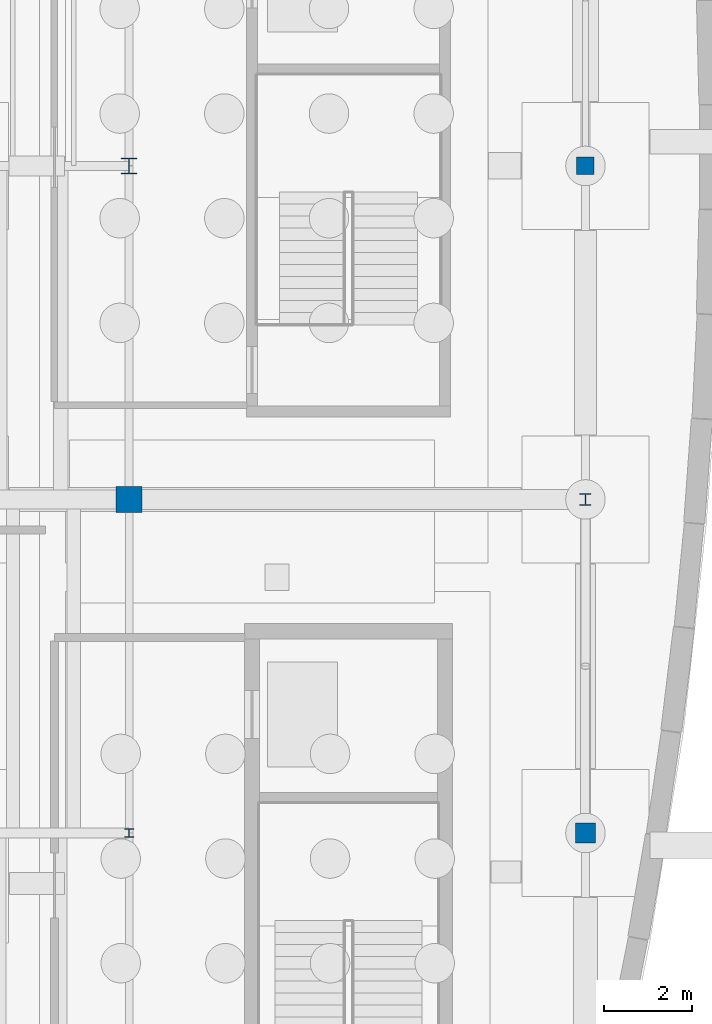
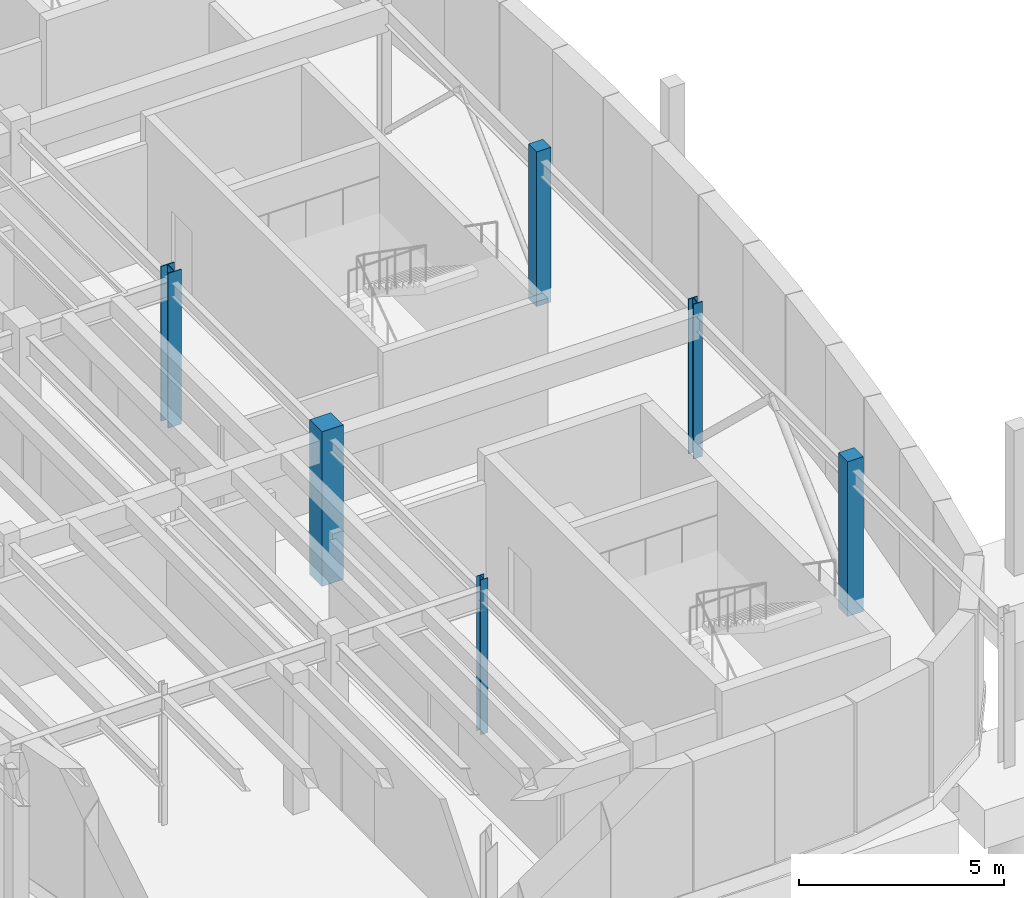
# One storey, part 21 of 45: 6 columns.
"""IFC4 building model written with IfcOpenShell, lengths in metres."""

import ifcopenshell
import ifcopenshell.guid

model = None  # the IFC model being written
_history = None  # IfcOwnerHistory: only IFC2X3 demands one
_inside = {}  # id of a spatial element -> (the spatial element, [elements in it])
_under = {}  # id of a project, library or spatial element -> (it, [spatial elements below it])
_declared = {}  # id of a project -> (the project, [libraries it declares])
_typed = {}  # id of a type object -> (the type object, [elements of that type])
_made_of = {}  # id of a material, layer set ... -> (it, [elements and type objects made of it])


def new_model(schema):
    """Start an empty IFC model of exactly this schema.

    Asked for "IFC4X3", IfcOpenShell would pick the latest addendum, in which some entities
    have other attributes; the version numbers below select the first issue.
    IFC2X3 requires an IfcOwnerHistory on every rooted entity: one is made here for all.
    """
    global model, _history
    if schema == "IFC4X3":
        model = ifcopenshell.file(schema_version=(4, 3, 0, 0))
    else:
        model = ifcopenshell.file(schema=schema)
    _inside.clear()
    _under.clear()
    _declared.clear()
    _typed.clear()
    _made_of.clear()
    _history = None
    if model.schema == "IFC2X3":
        org = make("IfcOrganization", Name="unknown")
        user = make(
            "IfcPersonAndOrganization",
            ThePerson=make("IfcPerson", FamilyName="unknown"),
            TheOrganization=org,
        )
        app = make(
            "IfcApplication",
            ApplicationDeveloper=org,
            Version="unknown",
            ApplicationFullName="unknown",
            ApplicationIdentifier="unknown",
        )
        _history = make(
            "IfcOwnerHistory",
            OwningUser=user,
            OwningApplication=app,
            ChangeAction="ADDED",
            CreationDate=0,
        )
    return model


def make(cls, **values):
    """One entity of the class cls with the attributes given. An attribute that is None is left unset."""
    return model.create_entity(
        cls, **{name: value for name, value in values.items() if value is not None}
    )


def rooted(cls, **values):
    """An entity with a GlobalId (a new one), such as an element, a storey or a relation."""
    return make(cls, GlobalId=ifcopenshell.guid.new(), OwnerHistory=_history, **values)


def si_unit(unit_type, name, prefix=None):
    """IfcSIUnit, for example si_unit("LENGTHUNIT", "METRE", prefix="MILLI")."""
    return make("IfcSIUnit", UnitType=unit_type, Prefix=prefix, Name=name)


def assignment(units):
    """IfcUnitAssignment: the units of a project."""
    return None if units is None else make("IfcUnitAssignment", Units=units)


def point(xyz):
    """IfcCartesianPoint."""
    return None if xyz is None else make("IfcCartesianPoint", Coordinates=xyz)


def direction(xyz):
    """IfcDirection."""
    return None if xyz is None else make("IfcDirection", DirectionRatios=xyz)


def frame(location, z_axis=None, x_axis=None):
    """IfcAxis2Placement3D, a coordinate frame: its origin and axes. An axis left out is left unset."""
    return make(
        "IfcAxis2Placement3D",
        Location=point(location),
        Axis=direction(z_axis),
        RefDirection=direction(x_axis),
    )


def frame_2d(location, x_axis=None):
    """IfcAxis2Placement2D, a coordinate frame in the plane: its origin and x axis."""
    return make(
        "IfcAxis2Placement2D", Location=point(location), RefDirection=direction(x_axis)
    )


def origin():
    """The frame at (0, 0, 0) with its axes left unset."""
    return frame((0.0, 0.0, 0.0))


def origin_2d():
    """The frame at (0, 0) in the plane with its x axis left unset."""
    return frame_2d((0.0, 0.0))


def place(relative_to, where):
    """IfcLocalPlacement: puts the frame where relative to a parent placement (None: the world)."""
    return make(
        "IfcLocalPlacement", PlacementRelTo=relative_to, RelativePlacement=where
    )


def context(
    kind, dimensions, precision=None, world=None, true_north=None, identifier=None
):
    """IfcGeometricRepresentationContext, for example the 3D "Model" context."""
    return make(
        "IfcGeometricRepresentationContext",
        ContextIdentifier=identifier,
        ContextType=kind,
        CoordinateSpaceDimension=dimensions,
        Precision=precision,
        WorldCoordinateSystem=world,
        TrueNorth=true_north,
    )


def subcontext(parent, identifier, kind, view, scale=None):
    """IfcGeometricRepresentationSubContext, for example "Body" below "Model"."""
    return make(
        "IfcGeometricRepresentationSubContext",
        ContextIdentifier=identifier,
        ContextType=kind,
        ParentContext=parent,
        TargetScale=scale,
        TargetView=view,
    )


def project(units=None, contexts=None):
    """IfcProject with its units and contexts."""
    return rooted(
        "IfcProject",
        Name="project",
        RepresentationContexts=contexts,
        UnitsInContext=assignment(units),
    )


def spatial(cls, under=None, at=None, **own):
    """A site, building, storey or space (cls), placed at a placement, below another one or the project."""
    s = rooted(cls, ObjectPlacement=at, **own)
    if under is not None:
        _under.setdefault(under.id(), (under, []))[1].append(s)
    return s


def profile(cls, at=None, kind="AREA", **sizes):
    """A parametric profile (cls). Its sizes go by their IFC names, for example OverallWidth=200.0."""
    return make(cls, ProfileType=kind, Position=at, **sizes)


def rectangle(**sizes):
    """IfcRectangleProfileDef."""
    return profile("IfcRectangleProfileDef", **sizes)


def i_section(**sizes):
    """IfcIShapeProfileDef."""
    return profile("IfcIShapeProfileDef", **sizes)


def extrude(swept, where, along, depth):
    """IfcExtrudedAreaSolid: the profile swept, set in the frame where, extruded along a direction by depth."""
    return make(
        "IfcExtrudedAreaSolid",
        SweptArea=swept,
        Position=where,
        ExtrudedDirection=direction(along),
        Depth=depth,
    )


def shape(context_of_items, identifier, shape_type, items):
    """IfcShapeRepresentation: the items that make up one representation, for example the "Body"."""
    return make(
        "IfcShapeRepresentation",
        ContextOfItems=context_of_items,
        RepresentationIdentifier=identifier,
        RepresentationType=shape_type,
        Items=items,
    )


def material(Name=None, Category=None):
    """IfcMaterial."""
    return make("IfcMaterial", Name=Name, Category=Category)


def material_profile(
    of_material, cross_section, Name=None, Category=None, Priority=None
):
    """IfcMaterialProfile: a cross section and its material."""
    return make(
        "IfcMaterialProfile",
        Name=Name,
        Material=of_material,
        Profile=cross_section,
        Priority=Priority,
        Category=Category,
    )


def profile_set(profiles, Name=None, composite=None):
    """IfcMaterialProfileSet."""
    return make(
        "IfcMaterialProfileSet",
        Name=Name,
        MaterialProfiles=profiles,
        CompositeProfile=composite,
    )


def made_of(thing, what):
    """Note that an element or type object is made of a material, layer set ...; save() writes the relation."""
    if what is not None:
        _made_of.setdefault(what.id(), (what, []))[1].append(thing)
    return thing


def type_object(cls, material=None, **own):
    """A type object (cls), such as IfcWallType, which elements share."""
    return made_of(rooted(cls, **own), material)


def element(
    cls,
    number,
    at=None,
    inside=None,
    cuts=None,
    type_object=None,
    material=None,
    context=None,
    identifier="Body",
    shape_type=None,
    held_by="IfcProductDefinitionShape",
    body=None,
    shapes=None,
    **own,
):
    """One element of the class cls, such as IfcWall. Its Tag is "e" and its number.

    at: its placement. inside: the storey or other place that contains it. cuts: it is an
    opening in that element (IfcRelVoidsElement). A single representation is given by context,
    identifier, shape_type and body (its items); several are given by shapes. held_by: the class
    of the entity that holds the representations. save() writes the other relations.
    """
    e = rooted(cls, Tag="e%d" % number, ObjectPlacement=at, **own)
    if body is not None:
        shapes = [shape(context, identifier, shape_type, body)]
    if shapes is not None:
        e.Representation = make(held_by, Representations=shapes)
    if inside is not None:
        _inside.setdefault(inside.id(), (inside, []))[1].append(e)
    if cuts is not None:
        rooted(
            "IfcRelVoidsElement", RelatingBuildingElement=cuts, RelatedOpeningElement=e
        )
    if type_object is not None:
        _typed.setdefault(type_object.id(), (type_object, []))[1].append(e)
    return made_of(e, material)


def aggregate(whole, parts):
    """IfcRelAggregates: a whole, such as a stair, and the parts it consists of."""
    return rooted("IfcRelAggregates", RelatingObject=whole, RelatedObjects=parts)


def save(model, path):
    """Write the relations noted so far, then the file.

    IfcRelAggregates (storeys below a building ...), IfcRelContainedInSpatialStructure (elements
    in a storey), IfcRelDefinesByType, IfcRelAssociatesMaterial and IfcRelDeclares: one each for
    every whole, place, type object, material and project.
    """
    for whole, parts in _under.values():
        aggregate(whole, parts)
    for where, things in _inside.values():
        rooted(
            "IfcRelContainedInSpatialStructure",
            RelatedElements=things,
            RelatingStructure=where,
        )
    for kind, things in _typed.values():
        rooted("IfcRelDefinesByType", RelatedObjects=things, RelatingType=kind)
    for what, things in _made_of.values():
        rooted("IfcRelAssociatesMaterial", RelatedObjects=things, RelatingMaterial=what)
    for by, libraries in _declared.values():
        rooted("IfcRelDeclares", RelatingContext=by, RelatedDefinitions=libraries)
    model.write(path)


model = new_model("IFC4")

# Units and contexts
model_context = context("Model", 3, precision=1e-05, world=origin(), true_north=direction((0.0, 1.0)))
body_context = subcontext(model_context, "Body", "Model", "MODEL_VIEW")
ifc_project = project(units=[si_unit("LENGTHUNIT", "METRE"), si_unit("AREAUNIT", "SQUARE_METRE"), si_unit("VOLUMEUNIT", "CUBIC_METRE"), si_unit("PLANEANGLEUNIT", "RADIAN"), si_unit("MASSUNIT", "GRAM", prefix="KILO")], contexts=[model_context])

# Site, building, storey
site_placement = place(None, origin())
site = spatial("IfcSite", under=ifc_project, at=site_placement, CompositionType="ELEMENT")
building_placement = place(site_placement, origin())
building = spatial("IfcBuilding", under=site, at=building_placement, Name="Corveleigh Park Community Centre", CompositionType="ELEMENT")
storey_placement = place(building_placement, frame((0.0, 0.0, -4.199951171875)))
storey = spatial("IfcBuildingStorey", under=building, at=storey_placement, Name="B1", CompositionType="ELEMENT", Elevation=-4.199951171875)

# Columns
ifc_material_1 = material(Name="Concrete C40/50", Category="concrete")
ifc_material_profile_1 = material_profile(ifc_material_1, rectangle(XDim=0.39990234375, YDim=0.39990234375, at=origin_2d()), Name="RC-400x400", Category="concrete")
ifc_profile_set_1 = profile_set([ifc_material_profile_1], Name="Concrete C40/50")
column_type_1 = type_object("IfcColumnType", Name="COL-RC-400x400", PredefinedType="COLUMN", material=ifc_profile_set_1)
column_1_placement = place(storey_placement, frame((168.39990234375, 81.39990234375, -0.4150390625), z_axis=(0.0, 0.0, 1.0), x_axis=(1.0, 0.0, 0.0)))
element("IfcColumn", 1, at=column_1_placement, inside=storey, type_object=column_type_1, Name="Column V4-X7Y3 B1", PredefinedType="COLUMN", context=body_context, shape_type="SweptSolid", body=[
    extrude(rectangle(XDim=0.39990234375, YDim=0.39990234375, at=origin_2d()), origin(), (0.0, 0.0, 1.0), 4.614990234375),
])
ifc_material_profile_2 = material_profile(ifc_material_1, rectangle(XDim=0.449951171875, YDim=0.449951171875, at=origin_2d()), Name="RC-450x450", Category="concrete")
ifc_profile_set_2 = profile_set([ifc_material_profile_2], Name="Concrete C40/50")
column_type_2 = type_object("IfcColumnType", Name="COL-RC-450x450", PredefinedType="COLUMN", material=ifc_profile_set_2)
column_2_placement = place(storey_placement, frame((168.39990234375, 66.199951171875, -0.4150390625), z_axis=(0.0, 0.0, 1.0), x_axis=(1.0, 0.0, 0.0)))
element("IfcColumn", 2, at=column_2_placement, inside=storey, type_object=column_type_2, Name="Column V4-X7Y1 B1", PredefinedType="COLUMN", context=body_context, shape_type="SweptSolid", body=[
    extrude(rectangle(XDim=0.449951171875, YDim=0.449951171875, at=origin_2d()), origin(), (0.0, 0.0, 1.0), 4.614990234375),
])
ifc_material_profile_3 = material_profile(ifc_material_1, rectangle(XDim=0.60009765625, YDim=0.60009765625, at=origin_2d()), Name="RC-600x600", Category="concrete")
ifc_profile_set_3 = profile_set([ifc_material_profile_3], Name="Concrete C40/50")
column_type_3 = type_object("IfcColumnType", Name="COL-RC-600x600", PredefinedType="COLUMN", material=ifc_profile_set_3)
column_3_placement = place(storey_placement, frame((158.0, 73.800048828125, -0.4150390625), z_axis=(0.0, 0.0, 1.0), x_axis=(1.0, 0.0, 0.0)))
element("IfcColumn", 3, at=column_3_placement, inside=storey, type_object=column_type_3, Name="Column V4-X6Y2 B1", PredefinedType="COLUMN", context=body_context, shape_type="SweptSolid", body=[
    extrude(rectangle(XDim=0.60009765625, YDim=0.60009765625, at=origin_2d()), origin(), (0.0, 0.0, 1.0), 4.614990234375),
])
ifc_material_2 = material(Name="Steel S355", Category="steel")
ifc_material_profile_4 = material_profile(ifc_material_2, i_section(OverallWidth=0.20361328125, OverallDepth=0.203125, WebThickness=0.007080078125, FlangeThickness=0.010986328125, at=origin_2d()), Name="UKC 203x203x46", Category="steel")
ifc_profile_set_4 = profile_set([ifc_material_profile_4], Name="Steel S355")
column_type_4 = type_object("IfcColumnType", Name="COL-STL-UKC203x46", PredefinedType="COLUMN", material=ifc_profile_set_4)
column_4_placement = place(storey_placement, frame((158.0, 66.199951171875, -0.4150390625), z_axis=(0.0, 0.0, 1.0), x_axis=(1.0, 0.0, 0.0)))
element("IfcColumn", 4, at=column_4_placement, inside=storey, type_object=column_type_4, Name="Column V4-X6Y1 B1", PredefinedType="COLUMN", context=body_context, shape_type="SweptSolid", body=[
    extrude(i_section(OverallWidth=0.20361328125, OverallDepth=0.203125, WebThickness=0.007080078125, FlangeThickness=0.010986328125, at=origin_2d()), origin(), (0.0, 0.0, 1.0), 4.614990234375),
])
ifc_material_profile_5 = material_profile(ifc_material_2, i_section(OverallWidth=0.26123046875, OverallDepth=0.2763671875, WebThickness=0.015380859375, FlangeThickness=0.025390625, at=origin_2d()), Name="UKC 254x254x132", Category="steel")
ifc_profile_set_5 = profile_set([ifc_material_profile_5], Name="Steel S355")
column_type_5 = type_object("IfcColumnType", Name="COL-STL-UKC254x132", PredefinedType="COLUMN", material=ifc_profile_set_5)
column_5_placement = place(storey_placement, frame((168.39990234375, 73.800048828125, -0.4150390625), z_axis=(0.0, 0.0, 1.0), x_axis=(1.0, 0.0, 0.0)))
element("IfcColumn", 5, at=column_5_placement, inside=storey, type_object=column_type_5, Name="Column V4-X7Y2 B1", PredefinedType="COLUMN", context=body_context, shape_type="SweptSolid", body=[
    extrude(i_section(OverallWidth=0.26123046875, OverallDepth=0.2763671875, WebThickness=0.015380859375, FlangeThickness=0.025390625, at=origin_2d()), origin(), (0.0, 0.0, 1.0), 4.614990234375),
])
ifc_material_profile_6 = material_profile(ifc_material_2, i_section(OverallWidth=0.37255859375, OverallDepth=0.3681640625, WebThickness=0.014404296875, FlangeThickness=0.023681640625, at=origin_2d()), Name="UKC 356x368x177", Category="steel")
ifc_profile_set_6 = profile_set([ifc_material_profile_6], Name="Steel S355")
column_type_6 = type_object("IfcColumnType", Name="COL-STL-UKC356x177", PredefinedType="COLUMN", material=ifc_profile_set_6)
column_6_placement = place(storey_placement, frame((158.0, 81.39990234375, -0.4150390625), z_axis=(0.0, 0.0, 1.0), x_axis=(1.0, 0.0, 0.0)))
element("IfcColumn", 6, at=column_6_placement, inside=storey, type_object=column_type_6, Name="Column V4-X6Y3 B1", PredefinedType="COLUMN", context=body_context, shape_type="SweptSolid", body=[
    extrude(i_section(OverallWidth=0.37255859375, OverallDepth=0.3681640625, WebThickness=0.014404296875, FlangeThickness=0.023681640625, at=origin_2d()), origin(), (0.0, 0.0, 1.0), 4.614990234375),
])

save(model, "model.ifc")
